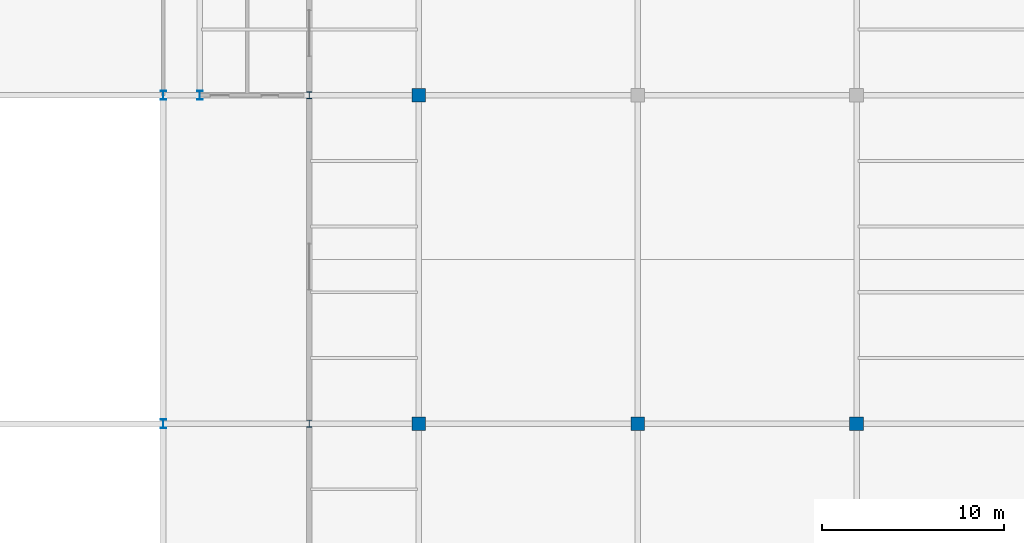
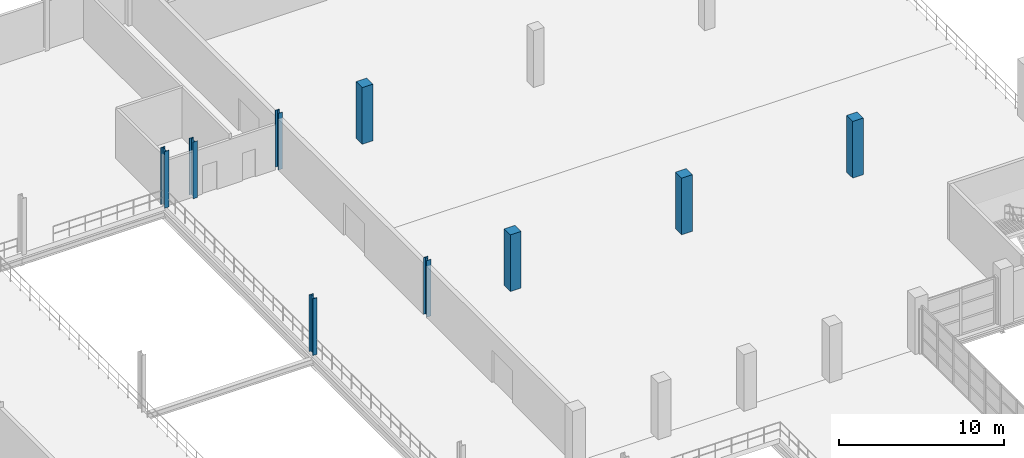
# One storey, part 14 of 158: 9 columns.
"""IFC4 building model written with IfcOpenShell, lengths in metres."""

from ifc_helpers import new_model, si_unit, direction, frame, origin, origin_2d, place, context, subcontext, project, spatial, rectangle, i_section, extrude, material, material_profile, profile_set, type_object, element, save


model = new_model("IFC4")

# Units and contexts
model_context = context("Model", 3, precision=1e-05, world=origin(), true_north=direction((0.0, 1.0)))
body_context = subcontext(model_context, "Body", "Model", "MODEL_VIEW")
ifc_project = project(units=[si_unit("LENGTHUNIT", "METRE"), si_unit("AREAUNIT", "SQUARE_METRE"), si_unit("VOLUMEUNIT", "CUBIC_METRE"), si_unit("PLANEANGLEUNIT", "RADIAN"), si_unit("MASSUNIT", "GRAM", prefix="KILO")], contexts=[model_context])

# Site, building, storey
site_placement = place(None, origin())
site = spatial("IfcSite", under=ifc_project, at=site_placement, CompositionType="ELEMENT")
building_placement = place(site_placement, origin())
building = spatial("IfcBuilding", under=site, at=building_placement, Name="Zilviju Railside Exhibition Hall", CompositionType="ELEMENT")
storey_placement = place(building_placement, frame((0.0, 0.0, 4.199951171875)))
storey = spatial("IfcBuildingStorey", under=building, at=storey_placement, Name="L02", CompositionType="ELEMENT", Elevation=4.199951171875)

# Columns
ifc_material_1 = material(Name="Concrete C35/45", Category="concrete")
ifc_material_profile_1 = material_profile(ifc_material_1, rectangle(XDim=0.75, YDim=0.75, at=origin_2d()), Name="RC COL 750x750")
ifc_profile_set_1 = profile_set([ifc_material_profile_1], Name="Concrete C35/45")
column_type_1 = type_object("IfcColumnType", Name="COL-RC-750", PredefinedType="COLUMN", material=ifc_profile_set_1)
for number, where, z_axis, x_axis, name in (
    (1, (84.0, 102.0, 0.0), (0.0, 0.0, 1.0), (1.0, 0.0, 0.0), "Structural Column L02 (84.0, 102.0)"),
    (2, (96.0, 102.0, 0.0), (0.0, 0.0, 1.0), (1.0, 0.0, 0.0), "Structural Column L02 (96.0, 102.0)"),
    (3, (108.0, 102.0, 0.0), (0.0, 0.0, 1.0), (1.0, 0.0, 0.0), "Structural Column L02 (108.0, 102.0)"),
    (4, (84.0, 120.0, 0.0), (0.0, 0.0, 1.0), (1.0, 0.0, 0.0), "Structural Column L02 (84.0, 120.0)"),
):
    element("IfcColumn", number, at=place(storey_placement, frame(where, z_axis=z_axis, x_axis=x_axis)), inside=storey, type_object=column_type_1, Name=name, PredefinedType="COLUMN", context=body_context, shape_type="SweptSolid", body=[
        extrude(rectangle(XDim=0.75, YDim=0.75, at=origin_2d()), origin(), (0.0, 0.0, 1.0), 4.199951171875),
    ])
ifc_material_2 = material(Name="Steel S355J2", Category="steel")
ifc_material_profile_2 = material_profile(ifc_material_2, i_section(OverallWidth=0.300048828125, OverallDepth=0.39990234375, WebThickness=0.013427734375, FlangeThickness=0.02392578125, at=origin_2d()), Name="HEB 400")
ifc_profile_set_2 = profile_set([ifc_material_profile_2], Name="Steel S355J2")
column_type_2 = type_object("IfcColumnType", Name="COL-ST-HEB400", PredefinedType="COLUMN", material=ifc_profile_set_2)
for number, where, z_axis, x_axis, name in (
    (5, (78.0, 102.0, 0.0), (0.0, 0.0, 1.0), (1.0, 0.0, 0.0), "Structural Column L02 (78.0, 102.0)"),
    (6, (78.0, 120.0, 0.0), (0.0, 0.0, 1.0), (1.0, 0.0, 0.0), "Structural Column L02 (78.0, 120.0)"),
):
    element("IfcColumn", number, at=place(storey_placement, frame(where, z_axis=z_axis, x_axis=x_axis)), inside=storey, type_object=column_type_2, Name=name, PredefinedType="COLUMN", context=body_context, shape_type="SweptSolid", body=[
        extrude(i_section(OverallWidth=0.300048828125, OverallDepth=0.39990234375, WebThickness=0.013427734375, FlangeThickness=0.02392578125, at=origin_2d()), origin(), (0.0, 0.0, 1.0), 4.199951171875),
    ])
ifc_material_profile_3 = material_profile(ifc_material_2, i_section(OverallWidth=0.300048828125, OverallDepth=0.5, WebThickness=0.014404296875, FlangeThickness=0.028076171875, at=origin_2d()), Name="HEB 500")
ifc_profile_set_3 = profile_set([ifc_material_profile_3], Name="Steel S355J2")
column_type_3 = type_object("IfcColumnType", Name="COL-ST-HEB500", PredefinedType="COLUMN", material=ifc_profile_set_3)
for number, where, z_axis, x_axis, name in (
    (7, (70.0, 102.0, 0.0), (0.0, 0.0, 1.0), (1.0, 0.0, 0.0), "Structural Column L02 (70.0, 102.0)"),
    (8, (70.0, 120.0, 0.0), (0.0, 0.0, 1.0), (1.0, 0.0, 0.0), "Structural Column L02 (70.0, 120.0)"),
    (9, (72.0, 120.0, 0.0), (0.0, 0.0, 1.0), (1.0, 0.0, 0.0), "Structural Column L02 (72.0, 120.0)"),
):
    element("IfcColumn", number, at=place(storey_placement, frame(where, z_axis=z_axis, x_axis=x_axis)), inside=storey, type_object=column_type_3, Name=name, PredefinedType="COLUMN", context=body_context, shape_type="SweptSolid", body=[
        extrude(i_section(OverallWidth=0.300048828125, OverallDepth=0.5, WebThickness=0.014404296875, FlangeThickness=0.028076171875, at=origin_2d()), origin(), (0.0, 0.0, 1.0), 4.199951171875),
    ])

save(model, "model.ifc")
